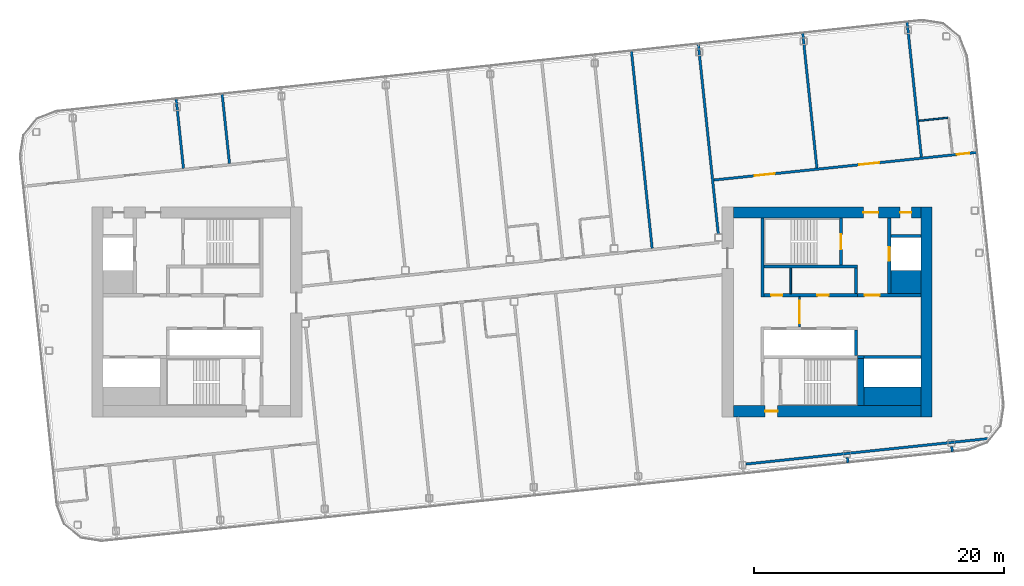
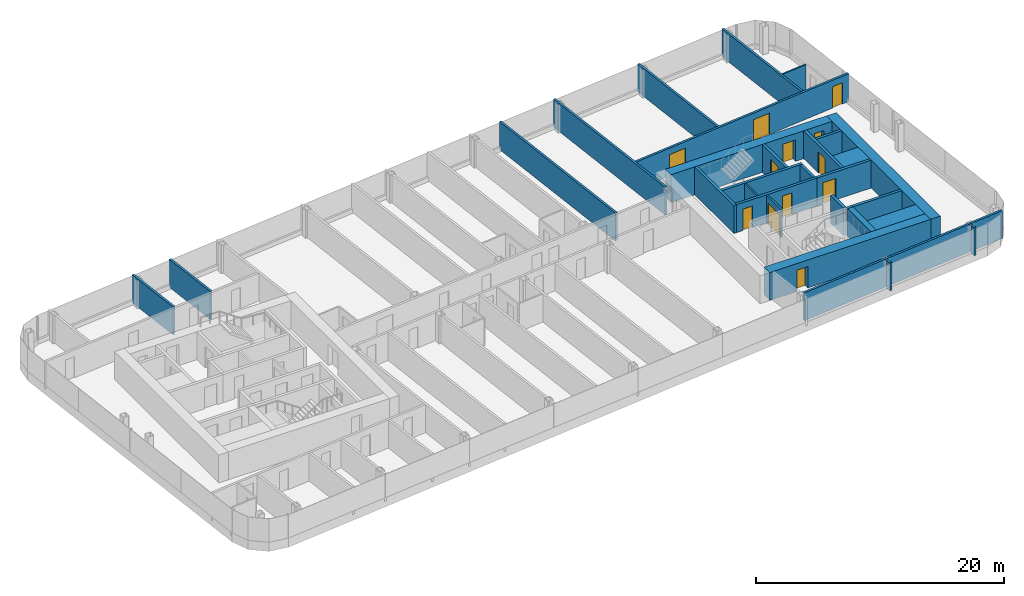
# One storey, part 17 of 27: 30 walls, 12 doors, 12 openings.
"""IFC4 building model written with IfcOpenShell, lengths in metres."""

from ifc_helpers import new_model, si_unit, direction, frame, frame_2d, origin, place, context, subcontext, project, spatial, rectangle, extrude, material, layer, layer_set, type_object, element, fill, save


model = new_model("IFC4")

# Units and contexts
model_context = context("Model", 3, precision=1e-05, world=origin(), true_north=direction((0.0, 1.0)))
body_context = subcontext(model_context, "Body", "Model", "MODEL_VIEW")
ifc_project = project(units=[si_unit("LENGTHUNIT", "METRE"), si_unit("AREAUNIT", "SQUARE_METRE"), si_unit("VOLUMEUNIT", "CUBIC_METRE"), si_unit("PLANEANGLEUNIT", "RADIAN"), si_unit("MASSUNIT", "GRAM", prefix="KILO")], contexts=[model_context])

# Site, building, storey
site_placement = place(None, origin())
site = spatial("IfcSite", under=ifc_project, at=site_placement, CompositionType="ELEMENT")
building_placement = place(site_placement, origin())
building = spatial("IfcBuilding", under=site, at=building_placement, Name="Hakoniwa Tower and Hamabe Station Hall", CompositionType="ELEMENT")
storey_placement = place(building_placement, frame((0.0, 0.0, 255.0)))
storey = spatial("IfcBuildingStorey", under=building, at=storey_placement, Name="L72", CompositionType="ELEMENT", Elevation=255.0)

# Wall
ifc_material_1 = material(Name="Gypsum board partition", Category="gypsum")
ifc_layer_1 = layer(ifc_material_1, 0.125)
ifc_layer_set_1 = layer_set([ifc_layer_1], Name="Bathroom Partition 125")
wall_type_1 = type_object("IfcWallType", Name="Bathroom Partition 125", PredefinedType="PARTITIONING", material=ifc_layer_set_1)
wall_1_placement = place(storey_placement, frame((32.5419921875, 15.283203125, 0.0), z_axis=(0.0, 0.0, 1.0), x_axis=(0.994519751088, 0.104548862722, 0.0)))
element("IfcWall", 1, at=wall_1_placement, inside=storey, type_object=wall_type_1, Name="GW-L72-012", PredefinedType="PARTITIONING", context=body_context, shape_type="SweptSolid", body=[
    extrude(rectangle(XDim=2.33740234375, YDim=0.125, at=frame_2d((1.168701171875, 0.0))), origin(), (0.0, 0.0, 1.0), 2.75),
])

# Wall, opening, door
ifc_material_2 = material(Name="Gypsum board partition")
ifc_layer_2 = layer(ifc_material_2, 0.14990234375)
ifc_layer_set_2 = layer_set([ifc_layer_2], Name="CORE PARTITION 150 EI 60")
wall_type_2 = type_object("IfcWallType", Name="CORE PARTITION 150 EI 60", PredefinedType="PARTITIONING", material=ifc_layer_set_2)
wall_2_placement = place(storey_placement, frame((23.0, -1.199951171875, 0.0), z_axis=(0.0, 0.0, 1.0), x_axis=(0.0, 1.0, 0.0)))
wall_2 = element("IfcWall", 2, at=wall_2_placement, inside=storey, type_object=wall_type_2, Name="Core partition PL0 east", PredefinedType="PARTITIONING", context=body_context, shape_type="SweptSolid", body=[
    extrude(rectangle(XDim=2.39990234375, YDim=0.14990234375, at=frame_2d((1.199951171875, 0.0))), origin(), (0.0, 0.0, 1.0), 2.75),
])
opening_1_placement = place(wall_2_placement, frame((0.300048828125, 0.0, 0.0)))
opening_1 = element("IfcOpeningElement", 3, at=opening_1_placement, cuts=wall_2, Name="Opening CD-E-LP0-18", PredefinedType="OPENING", context=body_context, shape_type="SweptSolid", body=[
    extrude(rectangle(XDim=1.800048828125, YDim=2.10009765625, at=frame_2d((0.89990234375, 1.050048828125))), frame((0.0, 0.0849609375, 0.0), z_axis=(0.0, -1.0, 0.0), x_axis=(1.0, 0.0, 0.0)), (0.0, 0.0, 1.0), 0.169921875),
])
ifc_material_3 = material(Name="Steel fire door", Category="steel")
door_type_1 = type_object("IfcDoorType", Name="CORE DOOR 1800 FD60", OperationType="DOUBLE_DOOR_SINGLE_SWING", PredefinedType="DOOR", material=ifc_material_3)
door_1_placement = place(opening_1_placement, origin())
door_1 = element("IfcDoor", 4, at=door_1_placement, inside=storey, type_object=door_type_1, Name="Lift lobby partition door", OperationType="DOUBLE_DOOR_SINGLE_SWING", OverallHeight=2.10009765625, OverallWidth=1.800048828125, PredefinedType="DOOR", context=body_context, shape_type="SweptSolid", body=[
    extrude(rectangle(XDim=1.800048828125, YDim=2.10009765625, at=frame_2d((0.89990234375, 1.050048828125))), frame((0.0, 0.02490234375, 0.0), z_axis=(0.0, -1.0, 0.0), x_axis=(1.0, 0.0, 0.0)), (0.0, 0.0, 1.0), 0.050048828125),
])
fill(opening_1, door_1)

# Walls
wall_3_placement = place(storey_placement, frame((22.300048828125, 1.449951171875, 0.0), z_axis=(0.0, 0.0, 1.0), x_axis=(0.0, 1.0, 0.0)))
element("IfcWall", 5, at=wall_3_placement, inside=storey, type_object=wall_type_2, Name="Core partition PFLR0 east", PredefinedType="PARTITIONING", context=body_context, shape_type="SweptSolid", body=[
    extrude(rectangle(XDim=2.050048828125, YDim=0.14990234375, at=frame_2d((1.02490234375, 0.0))), origin(), (0.0, 0.0, 1.0), 2.75),
])
ifc_material_4 = material(Name="Concrete C60", Category="concrete")
ifc_layer_3 = layer(ifc_material_4, 0.89990234375)
ifc_layer_set_3 = layer_set([ifc_layer_3], Name="CORE WALL 900 C60")
wall_type_3 = type_object("IfcWallType", Name="CORE WALL 900 C60", PredefinedType="SHEAR", material=ifc_layer_set_3)
wall_4_placement = place(storey_placement, frame((33.14990234375, -8.39990234375, 0.0), z_axis=(0.0, 0.0, 1.0), x_axis=(0.0, 1.0, 0.0)))
element("IfcWall", 6, at=wall_4_placement, inside=storey, type_object=wall_type_3, Name="Core wall OUTER east", PredefinedType="SHEAR", context=body_context, shape_type="SweptSolid", body=[
    extrude(rectangle(XDim=16.7998046875, YDim=0.89990234375, at=frame_2d((8.39990234375, 0.0))), origin(), (0.0, 0.0, 1.0), 2.75),
])

# Wall, openings, doors
wall_5_placement = place(storey_placement, frame((17.699951171875, 7.949951171875, 0.0), z_axis=(0.0, 0.0, 1.0), x_axis=(1.0, 0.0, 0.0)))
wall_5 = element("IfcWall", 7, at=wall_5_placement, inside=storey, type_object=wall_type_3, Name="Core wall NORTH east", PredefinedType="SHEAR", context=body_context, shape_type="SweptSolid", body=[
    extrude(rectangle(XDim=15.0, YDim=0.89990234375, at=frame_2d((7.5, 0.0))), origin(), (0.0, 0.0, 1.0), 2.75),
])
opening_2_placement = place(wall_5_placement, frame((10.39990234375, 0.0, 0.0)))
opening_2 = element("IfcOpeningElement", 8, at=opening_2_placement, cuts=wall_5, Name="Opening CD-E-FN1-12", PredefinedType="OPENING", context=body_context, shape_type="SweptSolid", body=[
    extrude(rectangle(XDim=1.199951171875, YDim=2.10009765625, at=frame_2d((0.60009765625, 1.050048828125))), frame((0.0, 0.4599609375, 0.0), z_axis=(0.0, -1.0, 0.0), x_axis=(1.0, 0.0, 0.0)), (0.0, 0.0, 1.0), 0.919921875),
])
opening_3_placement = place(wall_5_placement, frame((13.35009765625, 0.0, 0.0)))
opening_3 = element("IfcOpeningElement", 9, at=opening_3_placement, cuts=wall_5, Name="Opening CD-E-FN2-9", PredefinedType="OPENING", context=body_context, shape_type="SweptSolid", body=[
    extrude(rectangle(XDim=0.89990234375, YDim=2.10009765625, at=frame_2d((0.449951171875, 1.050048828125))), frame((0.0, 0.4599609375, 0.0), z_axis=(0.0, -1.0, 0.0), x_axis=(1.0, 0.0, 0.0)), (0.0, 0.0, 1.0), 0.919921875),
])
ifc_material_5 = material(Name="Steel fire door", Category="steel")
door_type_2 = type_object("IfcDoorType", Name="CORE DOOR 1200 FD60", OperationType="DOUBLE_DOOR_SINGLE_SWING", PredefinedType="DOOR", material=ifc_material_5)
door_2_placement = place(opening_2_placement, origin())
door_2 = element("IfcDoor", 10, at=door_2_placement, inside=storey, type_object=door_type_2, Name="Stair vestibule door to the fire-fighting lobby", OperationType="DOUBLE_DOOR_SINGLE_SWING", OverallHeight=2.10009765625, OverallWidth=1.199951171875, PredefinedType="DOOR", context=body_context, shape_type="SweptSolid", body=[
    extrude(rectangle(XDim=1.199951171875, YDim=2.10009765625, at=frame_2d((0.60009765625, 1.050048828125))), frame((0.0, 0.02490234375, 0.0), z_axis=(0.0, -1.0, 0.0), x_axis=(1.0, 0.0, 0.0)), (0.0, 0.0, 1.0), 0.050048828125),
])
fill(opening_2, door_2)
ifc_material_6 = material(Name="Steel fire door", Category="steel")
door_type_3 = type_object("IfcDoorType", Name="CORE DOOR 900 FD30", OperationType="NOTDEFINED", PredefinedType="DOOR", material=ifc_material_6)
door_3_placement = place(opening_3_placement, origin())
door_3 = element("IfcDoor", 11, at=door_3_placement, inside=storey, type_object=door_type_3, Name="Riser access door", OperationType="SINGLE_SWING_LEFT", OverallHeight=2.10009765625, OverallWidth=0.89990234375, PredefinedType="DOOR", context=body_context, shape_type="SweptSolid", body=[
    extrude(rectangle(XDim=0.89990234375, YDim=2.10009765625, at=frame_2d((0.449951171875, 1.050048828125))), frame((0.0, 0.02490234375, 0.0), z_axis=(0.0, -1.0, 0.0), x_axis=(1.0, 0.0, 0.0)), (0.0, 0.0, 1.0), 0.050048828125),
])
fill(opening_3, door_3)

# Wall, opening, door
wall_6_placement = place(storey_placement, frame((17.699951171875, -7.949951171875, 0.0), z_axis=(0.0, 0.0, 1.0), x_axis=(1.0, 0.0, 0.0)))
wall_6 = element("IfcWall", 12, at=wall_6_placement, inside=storey, type_object=wall_type_3, Name="Core wall SOUTH east", PredefinedType="SHEAR", context=body_context, shape_type="SweptSolid", body=[
    extrude(rectangle(XDim=15.0, YDim=0.89990234375, at=frame_2d((7.5, 0.0))), origin(), (0.0, 0.0, 1.0), 2.75),
])
opening_4_placement = place(wall_6_placement, frame((2.550048828125, 0.0, 0.0)))
opening_4 = element("IfcOpeningElement", 13, at=opening_4_placement, cuts=wall_6, Name="Opening CD-E-FS3-10", PredefinedType="OPENING", context=body_context, shape_type="SweptSolid", body=[
    extrude(rectangle(XDim=1.0, YDim=2.10009765625, at=frame_2d((0.5, 1.050048828125))), frame((0.0, 0.4599609375, 0.0), z_axis=(0.0, -1.0, 0.0), x_axis=(1.0, 0.0, 0.0)), (0.0, 0.0, 1.0), 0.919921875),
])
ifc_material_7 = material(Name="Steel fire door", Category="steel")
door_type_4 = type_object("IfcDoorType", Name="CORE DOOR 1000 FD60", OperationType="NOTDEFINED", PredefinedType="DOOR", material=ifc_material_7)
door_4_placement = place(opening_4_placement, origin())
door_4 = element("IfcDoor", 14, at=door_4_placement, inside=storey, type_object=door_type_4, Name="Stair vestibule door", OperationType="SINGLE_SWING_LEFT", OverallHeight=2.10009765625, OverallWidth=1.0, PredefinedType="DOOR", context=body_context, shape_type="SweptSolid", body=[
    extrude(rectangle(XDim=1.0, YDim=2.10009765625, at=frame_2d((0.5, 1.050048828125))), frame((0.0, 0.02490234375, 0.0), z_axis=(0.0, -1.0, 0.0), x_axis=(1.0, 0.0, 0.0)), (0.0, 0.0, 1.0), 0.050048828125),
])
fill(opening_4, door_4)

# Walls
ifc_material_8 = material(Name="Concrete C60", Category="concrete")
ifc_layer_4 = layer(ifc_material_8, 1.5)
ifc_layer_set_4 = layer_set([ifc_layer_4], Name="CORE WEB WALL 1500 C60")
wall_type_4 = type_object("IfcWallType", Name="CORE WEB WALL 1500 C60", PredefinedType="SHEAR", material=ifc_layer_set_4)
wall_7_placement = place(storey_placement, frame((28.14990234375, -6.75, 0.0), z_axis=(0.0, 0.0, 1.0), x_axis=(1.0, 0.0, 0.0)))
element("IfcWall", 15, at=wall_7_placement, inside=storey, type_object=wall_type_4, Name="Core wall SER east", PredefinedType="SHEAR", context=body_context, shape_type="SweptSolid", body=[
    extrude(rectangle(XDim=4.550048828125, YDim=1.5, at=frame_2d((2.27490234375, 0.0))), origin(), (0.0, 0.0, 1.0), 2.75),
])
ifc_material_9 = material(Name="Concrete C60", Category="concrete")
ifc_layer_5 = layer(ifc_material_9, 1.85009765625)
ifc_layer_set_5 = layer_set([ifc_layer_5], Name="CORE WEB WALL 1850 C60")
wall_type_5 = type_object("IfcWallType", Name="CORE WEB WALL 1850 C60", PredefinedType="SHEAR", material=ifc_layer_set_5)
wall_8_placement = place(storey_placement, frame((30.300048828125, 2.375, 0.0), z_axis=(0.0, 0.0, 1.0), x_axis=(1.0, 0.0, 0.0)))
element("IfcWall", 16, at=wall_8_placement, inside=storey, type_object=wall_type_5, Name="Core wall CA east", PredefinedType="SHEAR", context=body_context, shape_type="SweptSolid", body=[
    extrude(rectangle(XDim=2.39990234375, YDim=1.85009765625, at=frame_2d((1.199951171875, 0.0))), origin(), (0.0, 0.0, 1.0), 2.75),
])
ifc_material_10 = material(Name="Concrete C60", Category="concrete")
ifc_layer_6 = layer(ifc_material_10, 0.25)
ifc_layer_set_6 = layer_set([ifc_layer_6], Name="CORE WEB WALL 250 C60")
wall_type_6 = type_object("IfcWallType", Name="CORE WEB WALL 250 C60", PredefinedType="SHEAR", material=ifc_layer_set_6)
wall_9_placement = place(storey_placement, frame((20.02490234375, 1.199951171875, 0.0), z_axis=(0.0, 0.0, 1.0), x_axis=(0.0, 1.0, 0.0)))
element("IfcWall", 17, at=wall_9_placement, inside=storey, type_object=wall_type_6, Name="Core wall W1N east", PredefinedType="SHEAR", context=body_context, shape_type="SweptSolid", body=[
    extrude(rectangle(XDim=6.300048828125, YDim=0.25, at=frame_2d((3.14990234375, 0.0))), origin(), (0.0, 0.0, 1.0), 2.75),
])

# Wall, openings, doors
wall_10_placement = place(storey_placement, frame((20.14990234375, 1.324951171875, 0.0), z_axis=(0.0, 0.0, 1.0), x_axis=(1.0, 0.0, 0.0)))
wall_10 = element("IfcWall", 18, at=wall_10_placement, inside=storey, type_object=wall_type_6, Name="Core wall NF east", PredefinedType="SHEAR", context=body_context, shape_type="SweptSolid", body=[
    extrude(rectangle(XDim=7.5, YDim=0.25, at=frame_2d((3.75, 0.0))), origin(), (0.0, 0.0, 1.0), 2.75),
])
opening_5_placement = place(wall_10_placement, frame((0.58740234375, 0.0, 0.0)))
opening_5 = element("IfcOpeningElement", 19, at=opening_5_placement, cuts=wall_10, Name="Opening CD-E-FRLR0-9", PredefinedType="OPENING", context=body_context, shape_type="SweptSolid", body=[
    extrude(rectangle(XDim=0.89990234375, YDim=2.10009765625, at=frame_2d((0.449951171875, 1.050048828125))), frame((0.0, 0.135009765625, 0.0), z_axis=(0.0, -1.0, 0.0), x_axis=(1.0, 0.0, 0.0)), (0.0, 0.0, 1.0), 0.27001953125),
])
opening_6_placement = place(wall_10_placement, frame((4.28759765625, 0.0, 0.0)))
opening_6 = element("IfcOpeningElement", 20, at=opening_6_placement, cuts=wall_10, Name="Opening CD-E-FRLR1-9", PredefinedType="OPENING", context=body_context, shape_type="SweptSolid", body=[
    extrude(rectangle(XDim=0.89990234375, YDim=2.10009765625, at=frame_2d((0.449951171875, 1.050048828125))), frame((0.0, 0.135009765625, 0.0), z_axis=(0.0, -1.0, 0.0), x_axis=(1.0, 0.0, 0.0)), (0.0, 0.0, 1.0), 0.27001953125),
])
door_5_placement = place(opening_5_placement, origin())
door_5 = element("IfcDoor", 21, at=door_5_placement, inside=storey, type_object=door_type_3, Name="Store room door", OperationType="SINGLE_SWING_LEFT", OverallHeight=2.10009765625, OverallWidth=0.89990234375, PredefinedType="DOOR", context=body_context, shape_type="SweptSolid", body=[
    extrude(rectangle(XDim=0.89990234375, YDim=2.10009765625, at=frame_2d((0.449951171875, 1.050048828125))), frame((0.0, 0.02490234375, 0.0), z_axis=(0.0, -1.0, 0.0), x_axis=(1.0, 0.0, 0.0)), (0.0, 0.0, 1.0), 0.050048828125),
])
fill(opening_5, door_5)
door_6_placement = place(opening_6_placement, origin())
door_6 = element("IfcDoor", 22, at=door_6_placement, inside=storey, type_object=door_type_3, Name="Store room door", OperationType="SINGLE_SWING_LEFT", OverallHeight=2.10009765625, OverallWidth=0.89990234375, PredefinedType="DOOR", context=body_context, shape_type="SweptSolid", body=[
    extrude(rectangle(XDim=0.89990234375, YDim=2.10009765625, at=frame_2d((0.449951171875, 1.050048828125))), frame((0.0, 0.02490234375, 0.0), z_axis=(0.0, -1.0, 0.0), x_axis=(1.0, 0.0, 0.0)), (0.0, 0.0, 1.0), 0.050048828125),
])
fill(opening_6, door_6)

# Walls
wall_11_placement = place(storey_placement, frame((27.52490234375, 1.449951171875, 0.0), z_axis=(0.0, 0.0, 1.0), x_axis=(0.0, 1.0, 0.0)))
element("IfcWall", 23, at=wall_11_placement, inside=storey, type_object=wall_type_6, Name="Core wall NE east", PredefinedType="SHEAR", context=body_context, shape_type="SweptSolid", body=[
    extrude(rectangle(XDim=2.050048828125, YDim=0.25, at=frame_2d((1.02490234375, 0.0))), origin(), (0.0, 0.0, 1.0), 2.75),
])
wall_12_placement = place(storey_placement, frame((20.14990234375, 3.625, 0.0), z_axis=(0.0, 0.0, 1.0), x_axis=(1.0, 0.0, 0.0)))
element("IfcWall", 24, at=wall_12_placement, inside=storey, type_object=wall_type_6, Name="Core wall NR east", PredefinedType="SHEAR", context=body_context, shape_type="SweptSolid", body=[
    extrude(rectangle(XDim=7.5, YDim=0.25, at=frame_2d((3.75, 0.0))), origin(), (0.0, 0.0, 1.0), 2.75),
])

# Wall, opening, door
wall_13_placement = place(storey_placement, frame((26.324951171875, 3.75, 0.0), z_axis=(0.0, 0.0, 1.0), x_axis=(0.0, 1.0, 0.0)))
wall_13 = element("IfcWall", 25, at=wall_13_placement, inside=storey, type_object=wall_type_6, Name="Core wall NSE east", PredefinedType="SHEAR", context=body_context, shape_type="SweptSolid", body=[
    extrude(rectangle(XDim=3.75, YDim=0.25, at=frame_2d((1.875, 0.0))), origin(), (0.0, 0.0, 1.0), 2.75),
])
opening_7_placement = place(wall_13_placement, frame((1.25, 0.0, 0.0)))
opening_7 = element("IfcOpeningElement", 26, at=opening_7_placement, cuts=wall_13, Name="Opening CD-E-SN-12", PredefinedType="OPENING", context=body_context, shape_type="SweptSolid", body=[
    extrude(rectangle(XDim=1.199951171875, YDim=2.10009765625, at=frame_2d((0.60009765625, 1.050048828125))), frame((0.0, 0.135009765625, 0.0), z_axis=(0.0, -1.0, 0.0), x_axis=(1.0, 0.0, 0.0)), (0.0, 0.0, 1.0), 0.27001953125),
])
door_7_placement = place(opening_7_placement, origin())
door_7 = element("IfcDoor", 27, at=door_7_placement, inside=storey, type_object=door_type_2, Name="Escape stair door", OperationType="DOUBLE_DOOR_SINGLE_SWING", OverallHeight=2.10009765625, OverallWidth=1.199951171875, PredefinedType="DOOR", context=body_context, shape_type="SweptSolid", body=[
    extrude(rectangle(XDim=1.199951171875, YDim=2.10009765625, at=frame_2d((0.60009765625, 1.050048828125))), frame((0.0, 0.02490234375, 0.0), z_axis=(0.0, -1.0, 0.0), x_axis=(1.0, 0.0, 0.0)), (0.0, 0.0, 1.0), 0.050048828125),
])
fill(opening_7, door_7)

wall_14_placement = place(storey_placement, frame((27.64990234375, 1.324951171875, 0.0), z_axis=(0.0, 0.0, 1.0), x_axis=(1.0, 0.0, 0.0)))
wall_14 = element("IfcWall", 28, at=wall_14_placement, inside=storey, type_object=wall_type_6, Name="Core wall ELN east", PredefinedType="SHEAR", context=body_context, shape_type="SweptSolid", body=[
    extrude(rectangle(XDim=5.050048828125, YDim=0.25, at=frame_2d((2.52490234375, 0.0))), origin(), (0.0, 0.0, 1.0), 2.75),
])
opening_8_placement = place(wall_14_placement, frame((0.550048828125, 0.0, 0.0)))
opening_8 = element("IfcOpeningElement", 29, at=opening_8_placement, cuts=wall_14, Name="Opening CD-E-FL-12", PredefinedType="OPENING", context=body_context, shape_type="SweptSolid", body=[
    extrude(rectangle(XDim=1.199951171875, YDim=2.10009765625, at=frame_2d((0.60009765625, 1.050048828125))), frame((0.0, 0.135009765625, 0.0), z_axis=(0.0, -1.0, 0.0), x_axis=(1.0, 0.0, 0.0)), (0.0, 0.0, 1.0), 0.27001953125),
])
door_8_placement = place(opening_8_placement, origin())
door_8 = element("IfcDoor", 30, at=door_8_placement, inside=storey, type_object=door_type_2, Name="Stair vestibule door to the fire-fighting lobby", OperationType="DOUBLE_DOOR_SINGLE_SWING", OverallHeight=2.10009765625, OverallWidth=1.199951171875, PredefinedType="DOOR", context=body_context, shape_type="SweptSolid", body=[
    extrude(rectangle(XDim=1.199951171875, YDim=2.10009765625, at=frame_2d((0.60009765625, 1.050048828125))), frame((0.0, 0.02490234375, 0.0), z_axis=(0.0, -1.0, 0.0), x_axis=(1.0, 0.0, 0.0)), (0.0, 0.0, 1.0), 0.050048828125),
])
fill(opening_8, door_8)

wall_15_placement = place(storey_placement, frame((30.175048828125, 1.449951171875, 0.0), z_axis=(0.0, 0.0, 1.0), x_axis=(0.0, 1.0, 0.0)))
wall_15 = element("IfcWall", 31, at=wall_15_placement, inside=storey, type_object=wall_type_6, Name="Core wall FFF east", PredefinedType="SHEAR", context=body_context, shape_type="SweptSolid", body=[
    extrude(rectangle(XDim=6.050048828125, YDim=0.25, at=frame_2d((3.02490234375, 0.0))), origin(), (0.0, 0.0, 1.0), 2.75),
])
opening_9_placement = place(wall_15_placement, frame((2.625, 0.0, 0.0)))
opening_9 = element("IfcOpeningElement", 32, at=opening_9_placement, cuts=wall_15, Name="Opening LD-FF2", PredefinedType="OPENING", context=body_context, shape_type="SweptSolid", body=[
    extrude(rectangle(XDim=1.10009765625, YDim=2.10009765625, at=frame_2d((0.550048828125, 1.050048828125))), frame((0.0, 0.135009765625, 0.0), z_axis=(0.0, -1.0, 0.0), x_axis=(1.0, 0.0, 0.0)), (0.0, 0.0, 1.0), 0.27001953125),
])
ifc_material_11 = material(Name="Stainless steel SUS304", Category="steel")
door_type_5 = type_object("IfcDoorType", Name="LIFT LANDING DOOR 1100 FD60", OperationType="DOUBLE_DOOR_SLIDING", PredefinedType="DOOR", material=ifc_material_11)
door_9_placement = place(opening_9_placement, origin())
door_9 = element("IfcDoor", 33, at=door_9_placement, inside=storey, type_object=door_type_5, Name="Lift landing door FF2 L72", OperationType="DOUBLE_DOOR_SLIDING", OverallHeight=2.10009765625, OverallWidth=1.10009765625, PredefinedType="DOOR", context=body_context, shape_type="SweptSolid", body=[
    extrude(rectangle(XDim=1.10009765625, YDim=2.10009765625, at=frame_2d((0.550048828125, 1.050048828125))), frame((0.0, 0.02490234375, 0.0), z_axis=(0.0, -1.0, 0.0), x_axis=(1.0, 0.0, 0.0)), (0.0, 0.0, 1.0), 0.050048828125),
])
fill(opening_9, door_9)

# Walls
wall_16_placement = place(storey_placement, frame((30.300048828125, 6.074951171875, 0.0), z_axis=(0.0, 0.0, 1.0), x_axis=(1.0, 0.0, 0.0)))
element("IfcWall", 34, at=wall_16_placement, inside=storey, type_object=wall_type_6, Name="Core wall C2 east", PredefinedType="SHEAR", context=body_context, shape_type="SweptSolid", body=[
    extrude(rectangle(XDim=2.39990234375, YDim=0.25, at=frame_2d((1.199951171875, 0.0))), origin(), (0.0, 0.0, 1.0), 2.75),
])
wall_17_placement = place(storey_placement, frame((27.52490234375, -3.5, 0.0), z_axis=(0.0, 0.0, 1.0), x_axis=(0.0, 1.0, 0.0)))
element("IfcWall", 35, at=wall_17_placement, inside=storey, type_object=wall_type_6, Name="Core wall SE east", PredefinedType="SHEAR", context=body_context, shape_type="SweptSolid", body=[
    extrude(rectangle(XDim=2.050048828125, YDim=0.25, at=frame_2d((1.02490234375, 0.0))), origin(), (0.0, 0.0, 1.0), 2.75),
])
wall_18_placement = place(storey_placement, frame((28.14990234375, -3.625, 0.0), z_axis=(0.0, 0.0, 1.0), x_axis=(1.0, 0.0, 0.0)))
element("IfcWall", 36, at=wall_18_placement, inside=storey, type_object=wall_type_6, Name="Core wall SEF east", PredefinedType="SHEAR", context=body_context, shape_type="SweptSolid", body=[
    extrude(rectangle(XDim=4.550048828125, YDim=0.25, at=frame_2d((2.27490234375, 0.0))), origin(), (0.0, 0.0, 1.0), 2.75),
])
wall_19_placement = place(storey_placement, frame((27.64990234375, -3.625, 0.0), z_axis=(0.0, 0.0, 1.0), x_axis=(1.0, 0.0, 0.0)))
element("IfcWall", 37, at=wall_19_placement, inside=storey, type_object=wall_type_6, Name="Core wall SRK east", PredefinedType="SHEAR", context=body_context, shape_type="SweptSolid", body=[
    extrude(rectangle(XDim=0.5, YDim=0.25, at=frame_2d((0.25, 0.0))), origin(), (0.0, 0.0, 1.0), 2.75),
])
ifc_material_12 = material(Name="Concrete C60", Category="concrete")
ifc_layer_7 = layer(ifc_material_12, 0.5)
ifc_layer_set_7 = layer_set([ifc_layer_7], Name="CORE WEB WALL 500 C60")
wall_type_7 = type_object("IfcWallType", Name="CORE WEB WALL 500 C60", PredefinedType="SHEAR", material=ifc_layer_set_7)
wall_20_placement = place(storey_placement, frame((27.89990234375, -7.5, 0.0), z_axis=(0.0, 0.0, 1.0), x_axis=(0.0, 1.0, 0.0)))
element("IfcWall", 38, at=wall_20_placement, inside=storey, type_object=wall_type_7, Name="Core wall SSE east", PredefinedType="SHEAR", context=body_context, shape_type="SweptSolid", body=[
    extrude(rectangle(XDim=3.75, YDim=0.5, at=frame_2d((1.875, 0.0))), origin(), (0.0, 0.0, 1.0), 2.75),
])
ifc_material_13 = material(Name="Fire-rated gypsum board partition", Category="gypsum")
ifc_layer_8 = layer(ifc_material_13, 0.199951171875)
ifc_layer_set_8 = layer_set([ifc_layer_8], Name="Corridor Wall 200")
wall_type_8 = type_object("IfcWallType", Name="Corridor Wall 200", PredefinedType="PARTITIONING", material=ifc_layer_set_8)
wall_21_placement = place(storey_placement, frame((18.708251953125, -12.17724609375, 0.0), z_axis=(0.0, 0.0, 1.0), x_axis=(0.994521604238, 0.104531233147, 0.0)))
element("IfcWall", 39, at=wall_21_placement, inside=storey, type_object=wall_type_8, Name="GW-L72-001", PredefinedType="PARTITIONING", context=body_context, shape_type="SweptSolid", body=[
    extrude(rectangle(XDim=19.6982421875, YDim=0.199951171875, at=frame_2d((9.84912109375, 0.0))), origin(), (0.0, 0.0, 1.0), 2.75),
])

# Wall, openings, doors
wall_22_placement = place(storey_placement, frame((16.04833984375, 10.533203125, 0.0), z_axis=(0.0, 0.0, 1.0), x_axis=(0.994522460242, 0.104523088709, 0.0)))
wall_22 = element("IfcWall", 40, at=wall_22_placement, inside=storey, type_object=wall_type_8, Name="GW-L72-011", PredefinedType="PARTITIONING", context=body_context, shape_type="SweptSolid", body=[
    extrude(rectangle(XDim=21.2998046875, YDim=0.199951171875, at=frame_2d((10.64990234375, 0.0))), origin(), (0.0, 0.0, 1.0), 2.75),
])
opening_10_placement = place(wall_22_placement, frame((3.39990234375, 0.0, 0.0)))
opening_10 = element("IfcOpeningElement", 41, at=opening_10_placement, cuts=wall_22, Name="Opening GD-G5B1-20", PredefinedType="OPENING", context=body_context, shape_type="SweptSolid", body=[
    extrude(rectangle(XDim=1.60009765625, YDim=2.10009765625, at=frame_2d((0.800048828125, 1.050048828125))), frame((0.0, 0.10986328125, 0.0), z_axis=(0.0, -1.0, 0.0), x_axis=(1.0, 0.0, 0.0)), (0.0, 0.0, 1.0), 0.219970703125),
])
opening_11_placement = place(wall_22_placement, frame((11.800048828125, 0.0, 0.0)))
opening_11 = element("IfcOpeningElement", 42, at=opening_11_placement, cuts=wall_22, Name="Opening GD-G5B1-21", PredefinedType="OPENING", context=body_context, shape_type="SweptSolid", body=[
    extrude(rectangle(XDim=1.60009765625, YDim=2.10009765625, at=frame_2d((0.800048828125, 1.050048828125))), frame((0.0, 0.10986328125, 0.0), z_axis=(0.0, -1.0, 0.0), x_axis=(1.0, 0.0, 0.0)), (0.0, 0.0, 1.0), 0.219970703125),
])
opening_12_placement = place(wall_22_placement, frame((19.64990234375, 0.0, 0.0)))
opening_12 = element("IfcOpeningElement", 43, at=opening_12_placement, cuts=wall_22, Name="Opening GD-G5B1-22", PredefinedType="OPENING", context=body_context, shape_type="SweptSolid", body=[
    extrude(rectangle(XDim=1.0, YDim=2.10009765625, at=frame_2d((0.5, 1.050048828125))), frame((0.0, 0.10986328125, 0.0), z_axis=(0.0, -1.0, 0.0), x_axis=(1.0, 0.0, 0.0)), (0.0, 0.0, 1.0), 0.219970703125),
])
ifc_material_14 = material(Name="Timber door leaf", Category="wood")
door_type_6 = type_object("IfcDoorType", Name="Double Door 1600", OperationType="DOUBLE_DOOR_SINGLE_SWING", PredefinedType="DOOR", material=ifc_material_14)
door_10_placement = place(opening_10_placement, origin())
door_10 = element("IfcDoor", 44, at=door_10_placement, inside=storey, type_object=door_type_6, Name="Door GD-G5B1-20", OperationType="DOUBLE_DOOR_SINGLE_SWING", OverallHeight=2.10009765625, OverallWidth=1.60009765625, PredefinedType="DOOR", context=body_context, shape_type="SweptSolid", body=[
    extrude(rectangle(XDim=1.60009765625, YDim=2.10009765625, at=frame_2d((0.800048828125, 1.050048828125))), frame((0.0, 0.02490234375, 0.0), z_axis=(0.0, -1.0, 0.0), x_axis=(1.0, 0.0, 0.0)), (0.0, 0.0, 1.0), 0.050048828125),
])
fill(opening_10, door_10)
door_11_placement = place(opening_11_placement, origin())
door_11 = element("IfcDoor", 45, at=door_11_placement, inside=storey, type_object=door_type_6, Name="Door GD-G5B1-21", OperationType="DOUBLE_DOOR_SINGLE_SWING", OverallHeight=2.10009765625, OverallWidth=1.60009765625, PredefinedType="DOOR", context=body_context, shape_type="SweptSolid", body=[
    extrude(rectangle(XDim=1.60009765625, YDim=2.10009765625, at=frame_2d((0.800048828125, 1.050048828125))), frame((0.0, 0.02490234375, 0.0), z_axis=(0.0, -1.0, 0.0), x_axis=(1.0, 0.0, 0.0)), (0.0, 0.0, 1.0), 0.050048828125),
])
fill(opening_11, door_11)
ifc_material_15 = material(Name="Timber door leaf", Category="wood")
door_type_7 = type_object("IfcDoorType", Name="Guest Entrance Door 1000", OperationType="SINGLE_SWING_LEFT", PredefinedType="DOOR", material=ifc_material_15)
door_12_placement = place(opening_12_placement, origin())
door_12 = element("IfcDoor", 46, at=door_12_placement, inside=storey, type_object=door_type_7, Name="Door GD-G5B1-22", OperationType="SINGLE_SWING_RIGHT", OverallHeight=2.10009765625, OverallWidth=1.0, PredefinedType="DOOR", context=body_context, shape_type="SweptSolid", body=[
    extrude(rectangle(XDim=1.0, YDim=2.10009765625, at=frame_2d((0.5, 1.050048828125))), frame((0.0, 0.02490234375, 0.0), z_axis=(0.0, -1.0, 0.0), x_axis=(1.0, 0.0, 0.0)), (0.0, 0.0, 1.0), 0.050048828125),
])
fill(opening_12, door_12)

# Walls
ifc_material_16 = material(Name="Fire-rated gypsum board partition", Category="gypsum")
ifc_layer_9 = layer(ifc_material_16, 0.199951171875)
ifc_layer_set_9 = layer_set([ifc_layer_9], Name="Party Wall 200")
wall_type_9 = type_object("IfcWallType", Name="Party Wall 200", PredefinedType="PARTITIONING", material=ifc_layer_set_9)
for number, where, z_axis, x_axis, name in (
    (47, (-26.28271484375, 11.481689453125, 0.0), (0.0, 0.0, 1.0), (-0.104560413987, 0.994518536693, 0.0), "GW-L72-019"),
    (48, (-22.60302734375, 11.868408203125, 0.0), (0.0, 0.0, 1.0), (-0.104560413987, 0.994518536693, 0.0), "GW-L72-020"),
):
    element("IfcWall", number, at=place(storey_placement, frame(where, z_axis=z_axis, x_axis=x_axis)), inside=storey, type_object=wall_type_9, Name=name, PredefinedType="PARTITIONING", context=body_context, shape_type="SweptSolid", body=[
        extrude(rectangle(XDim=5.6201171875, YDim=0.199951171875, at=frame_2d((2.81005859375, 0.0))), origin(), (0.0, 0.0, 1.0), 2.75),
    ])
wall_23_placement = place(storey_placement, frame((11.211181640625, 5.0859375, 0.0), z_axis=(0.0, 0.0, 1.0), x_axis=(-0.104534518003, 0.994521258971, 0.0)))
element("IfcWall", 49, at=wall_23_placement, inside=storey, type_object=wall_type_9, Name="GW-L72-040", PredefinedType="PARTITIONING", context=body_context, shape_type="SweptSolid", body=[
    extrude(rectangle(XDim=15.900146484375, YDim=0.199951171875, at=frame_2d((7.9501953125, 0.0))), origin(), (0.0, 0.0, 1.0), 2.75),
])
wall_24_placement = place(storey_placement, frame((16.499755859375, 6.23681640625, 0.0), z_axis=(0.0, 0.0, 1.0), x_axis=(-0.104523729364, 0.99452239291, 0.0)))
element("IfcWall", 50, at=wall_24_placement, inside=storey, type_object=wall_type_9, Name="GW-L72-042", PredefinedType="PARTITIONING", context=body_context, shape_type="SweptSolid", body=[
    extrude(rectangle(XDim=15.308349609375, YDim=0.199951171875, at=frame_2d((7.654296875, 0.0))), origin(), (0.0, 0.0, 1.0), 2.75),
])
wall_25_placement = place(storey_placement, frame((26.870361328125, -12.071044921875, 0.0), z_axis=(0.0, 0.0, 1.0), x_axis=(-0.104743412259, 0.994499279833, 0.0)))
element("IfcWall", 51, at=wall_25_placement, inside=storey, type_object=wall_type_9, Name="GW-L72-043", PredefinedType="PARTITIONING", context=body_context, shape_type="SweptSolid", body=[
    extrude(rectangle(XDim=0.43359375, YDim=0.199951171875, at=frame_2d((0.216796875, 0.0))), origin(), (0.0, 0.0, 1.0), 2.75),
])
wall_26_placement = place(storey_placement, frame((24.391845703125, 11.510498046875, 0.0), z_axis=(0.0, 0.0, 1.0), x_axis=(-0.104530717431, 0.994521658444, 0.0)))
element("IfcWall", 52, at=wall_26_placement, inside=storey, type_object=wall_type_9, Name="GW-L72-044", PredefinedType="PARTITIONING", context=body_context, shape_type="SweptSolid", body=[
    extrude(rectangle(XDim=10.888427734375, YDim=0.199951171875, at=frame_2d((5.4443359375, 0.0))), origin(), (0.0, 0.0, 1.0), 2.75),
])
wall_27_placement = place(storey_placement, frame((35.224365234375, -11.193115234375, 0.0), z_axis=(0.0, 0.0, 1.0), x_axis=(-0.104743412259, 0.994499279833, 0.0)))
element("IfcWall", 53, at=wall_27_placement, inside=storey, type_object=wall_type_9, Name="GW-L72-045", PredefinedType="PARTITIONING", context=body_context, shape_type="SweptSolid", body=[
    extrude(rectangle(XDim=0.43359375, YDim=0.199951171875, at=frame_2d((0.216796875, 0.0))), origin(), (0.0, 0.0, 1.0), 2.75),
])
wall_28_placement = place(storey_placement, frame((32.745849609375, 12.388671875, 0.0), z_axis=(0.0, 0.0, 1.0), x_axis=(-0.104533048416, 0.994521413439, 0.0)))
element("IfcWall", 54, at=wall_28_placement, inside=storey, type_object=wall_type_9, Name="GW-L72-046", PredefinedType="PARTITIONING", context=body_context, shape_type="SweptSolid", body=[
    extrude(rectangle(XDim=10.88818359375, YDim=0.199951171875, at=frame_2d((5.444091796875, 0.0))), origin(), (0.0, 0.0, 1.0), 2.75),
])

save(model, "model.ifc")
